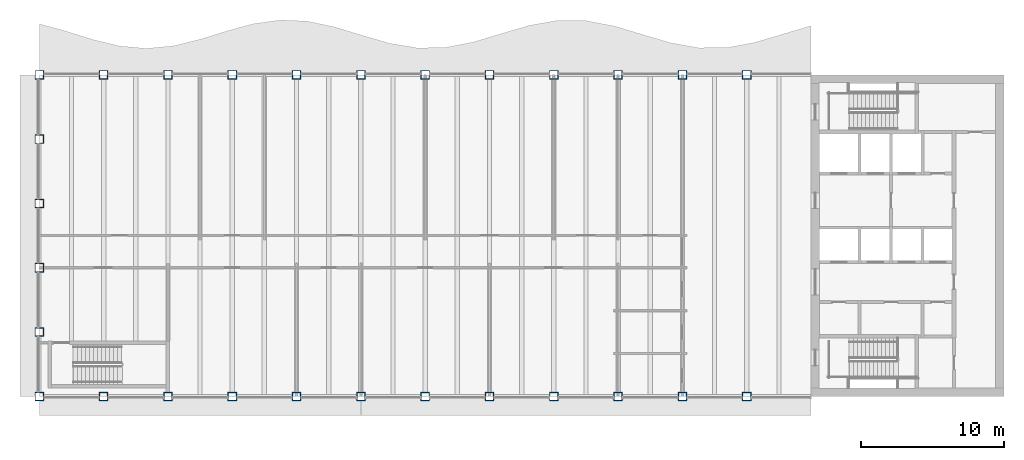
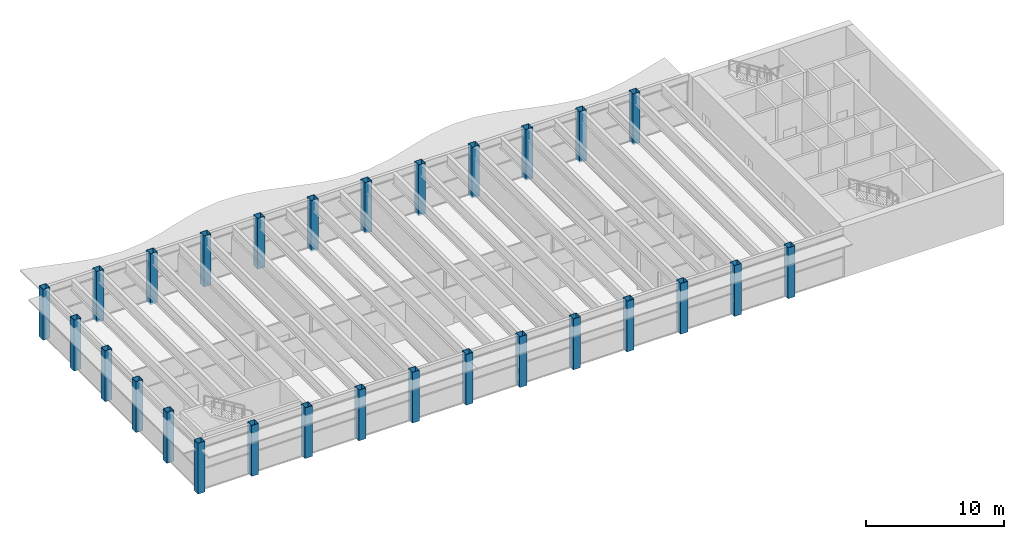
# One storey, part 1 of 14: 28 columns.
"""IFC4 building model written with IfcOpenShell, lengths in metres."""

from ifc_helpers import new_model, si_unit, direction, frame, origin, origin_2d, place, context, subcontext, project, spatial, hollow_rectangle, extrude, material, material_profile, profile_set, type_object, element, save


model = new_model("IFC4")

# Units and contexts
model_context = context("Model", 3, precision=1e-05, world=origin(), true_north=direction((0.0, 1.0)))
body_context = subcontext(model_context, "Body", "Model", "MODEL_VIEW")
ifc_project = project(units=[si_unit("LENGTHUNIT", "METRE"), si_unit("AREAUNIT", "SQUARE_METRE"), si_unit("VOLUMEUNIT", "CUBIC_METRE"), si_unit("PLANEANGLEUNIT", "RADIAN"), si_unit("MASSUNIT", "GRAM", prefix="KILO")], contexts=[model_context])

# Site, building, storey
site_placement = place(None, origin())
site = spatial("IfcSite", under=ifc_project, at=site_placement, CompositionType="ELEMENT")
building_placement = place(site_placement, origin())
building = spatial("IfcBuilding", under=site, at=building_placement, Name="Sennacour Bend Tower", CompositionType="ELEMENT")
storey_placement = place(building_placement, frame((0.0, 0.0, 314.0)))
storey = spatial("IfcBuildingStorey", under=building, at=storey_placement, Name="L72", CompositionType="ELEMENT", Elevation=314.0)

# Columns
ifc_material = material(Name="Steel ASTM A572 Grade 50", Category="steel")
ifc_material_profile = material_profile(ifc_material, hollow_rectangle(XDim=0.60009765625, YDim=0.60009765625, WallThickness=0.030029296875, at=origin_2d()), Name="Steel ASTM A572 Grade 50", Category="steel")
ifc_profile_set = profile_set([ifc_material_profile], Name="Steel ASTM A572 Grade 50")
column_type = type_object("IfcColumnType", Name="Box column 600", PredefinedType="COLUMN", material=ifc_profile_set)
for number, where, z_axis, x_axis, name in (
    (1, (0.0, 0.0, -0.14990234375), (0.0, 0.0, 1.0), (1.0, 0.0, 0.0), "Perimeter column C6 L72-001"),
    (2, (0.0, 4.5, -0.14990234375), (0.0, 0.0, 1.0), (1.0, 0.0, 0.0), "Perimeter column C6 L72-002"),
    (3, (0.0, 9.0, -0.14990234375), (0.0, 0.0, 1.0), (1.0, 0.0, 0.0), "Perimeter column C6 L72-003"),
    (4, (0.0, 13.5, -0.14990234375), (0.0, 0.0, 1.0), (1.0, 0.0, 0.0), "Perimeter column C6 L72-004"),
    (5, (0.0, 18.0, -0.14990234375), (0.0, 0.0, 1.0), (1.0, 0.0, 0.0), "Perimeter column C6 L72-005"),
    (6, (0.0, 22.5, -0.14990234375), (0.0, 0.0, 1.0), (1.0, 0.0, 0.0), "Perimeter column C6 L72-006"),
    (7, (4.5, 0.0, -0.14990234375), (0.0, 0.0, 1.0), (1.0, 0.0, 0.0), "Perimeter column C6 L72-007"),
    (8, (4.5, 22.5, -0.14990234375), (0.0, 0.0, 1.0), (1.0, 0.0, 0.0), "Perimeter column C6 L72-008"),
    (9, (9.0, 0.0, -0.14990234375), (0.0, 0.0, 1.0), (1.0, 0.0, 0.0), "Perimeter column C6 L72-009"),
    (10, (9.0, 22.5, -0.14990234375), (0.0, 0.0, 1.0), (1.0, 0.0, 0.0), "Perimeter column C6 L72-010"),
    (11, (13.5, 0.0, -0.14990234375), (0.0, 0.0, 1.0), (1.0, 0.0, 0.0), "Perimeter column C6 L72-011"),
    (12, (13.5, 22.5, -0.14990234375), (0.0, 0.0, 1.0), (1.0, 0.0, 0.0), "Perimeter column C6 L72-012"),
    (13, (18.0, 0.0, -0.14990234375), (0.0, 0.0, 1.0), (1.0, 0.0, 0.0), "Perimeter column C6 L72-013"),
    (14, (18.0, 22.5, -0.14990234375), (0.0, 0.0, 1.0), (1.0, 0.0, 0.0), "Perimeter column C6 L72-014"),
    (15, (22.5, 0.0, -0.14990234375), (0.0, 0.0, 1.0), (1.0, 0.0, 0.0), "Perimeter column C6 L72-015"),
    (16, (22.5, 22.5, -0.14990234375), (0.0, 0.0, 1.0), (1.0, 0.0, 0.0), "Perimeter column C6 L72-016"),
    (17, (27.0, 0.0, -0.14990234375), (0.0, 0.0, 1.0), (1.0, 0.0, 0.0), "Perimeter column C6 L72-017"),
    (18, (27.0, 22.5, -0.14990234375), (0.0, 0.0, 1.0), (1.0, 0.0, 0.0), "Perimeter column C6 L72-018"),
    (19, (31.5, 0.0, -0.14990234375), (0.0, 0.0, 1.0), (1.0, 0.0, 0.0), "Perimeter column C6 L72-019"),
    (20, (31.5, 22.5, -0.14990234375), (0.0, 0.0, 1.0), (1.0, 0.0, 0.0), "Perimeter column C6 L72-020"),
    (21, (36.0, 0.0, -0.14990234375), (0.0, 0.0, 1.0), (1.0, 0.0, 0.0), "Perimeter column C6 L72-021"),
    (22, (36.0, 22.5, -0.14990234375), (0.0, 0.0, 1.0), (1.0, 0.0, 0.0), "Perimeter column C6 L72-022"),
    (23, (40.5, 0.0, -0.14990234375), (0.0, 0.0, 1.0), (1.0, 0.0, 0.0), "Perimeter column C6 L72-023"),
    (24, (40.5, 22.5, -0.14990234375), (0.0, 0.0, 1.0), (1.0, 0.0, 0.0), "Perimeter column C6 L72-024"),
    (25, (45.0, 0.0, -0.14990234375), (0.0, 0.0, 1.0), (1.0, 0.0, 0.0), "Perimeter column C6 L72-025"),
    (26, (45.0, 22.5, -0.14990234375), (0.0, 0.0, 1.0), (1.0, 0.0, 0.0), "Perimeter column C6 L72-026"),
    (27, (49.5, 0.0, -0.14990234375), (0.0, 0.0, 1.0), (1.0, 0.0, 0.0), "Perimeter column C6 L72-027"),
    (28, (49.5, 22.5, -0.14990234375), (0.0, 0.0, 1.0), (1.0, 0.0, 0.0), "Perimeter column C6 L72-028"),
):
    element("IfcColumn", number, at=place(storey_placement, frame(where, z_axis=z_axis, x_axis=x_axis)), inside=storey, type_object=column_type, Name=name, PredefinedType="COLUMN", context=body_context, shape_type="SweptSolid", body=[
        extrude(hollow_rectangle(XDim=0.60009765625, YDim=0.60009765625, WallThickness=0.030029296875, at=origin_2d()), origin(), (0.0, 0.0, 1.0), 4.5),
    ])

save(model, "model.ifc")
